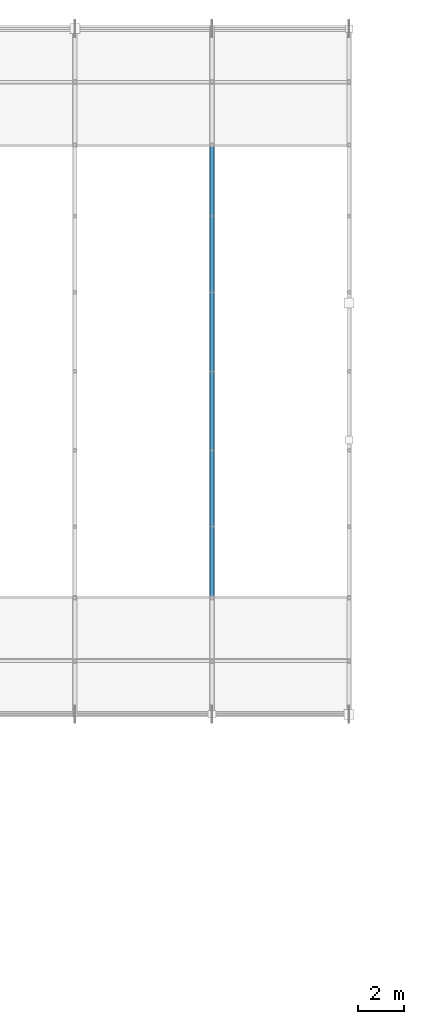
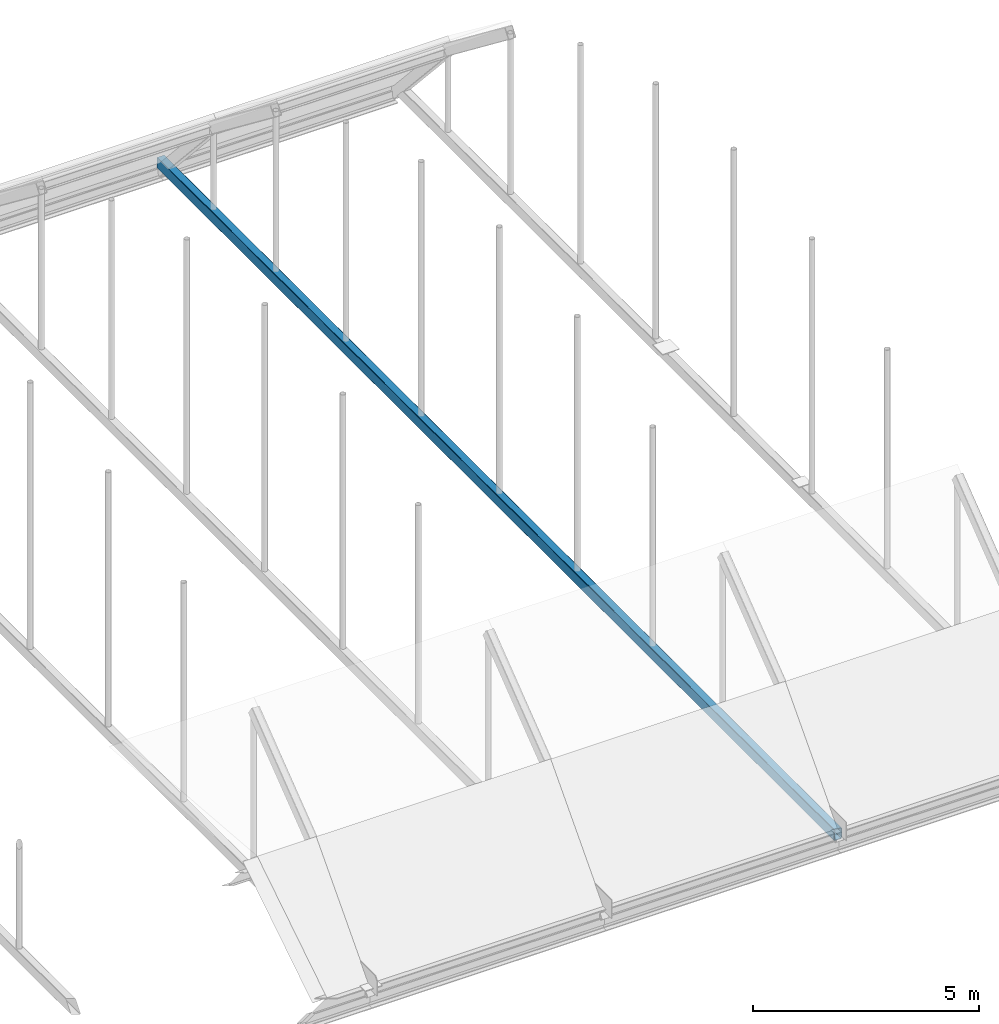
# One storey, part 34 of 63: 1 member.
"""IFC4 building model written with IfcOpenShell, lengths in metres."""

from ifc_helpers import new_model, si_unit, direction, frame, origin, origin_2d, place, context, subcontext, project, spatial, hollow_rectangle, extrude, material, material_profile, profile_set, type_object, element, save


model = new_model("IFC4")

# Units and contexts
model_context = context("Model", 3, precision=1e-05, world=origin(), true_north=direction((0.0, 1.0)))
body_context = subcontext(model_context, "Body", "Model", "MODEL_VIEW")
ifc_project = project(units=[si_unit("LENGTHUNIT", "METRE"), si_unit("AREAUNIT", "SQUARE_METRE"), si_unit("VOLUMEUNIT", "CUBIC_METRE"), si_unit("PLANEANGLEUNIT", "RADIAN"), si_unit("MASSUNIT", "GRAM", prefix="KILO")], contexts=[model_context])

# Site, building, storey
site_placement = place(None, origin())
site = spatial("IfcSite", under=ifc_project, at=site_placement, CompositionType="ELEMENT")
building_placement = place(site_placement, origin())
building = spatial("IfcBuilding", under=site, at=building_placement, Name="Varnakota Square Police Headquarters", CompositionType="ELEMENT")
storey_placement = place(building_placement, frame((0.0, 0.0, 22.199951171875)))
storey = spatial("IfcBuildingStorey", under=building, at=storey_placement, Name="L05", CompositionType="ELEMENT", Elevation=22.199951171875)

# Member
ifc_material = material(Name="Steel IS 2062 Grade 350", Category="steel")
ifc_material_profile = material_profile(ifc_material, hollow_rectangle(XDim=0.199951171875, YDim=0.300048828125, WallThickness=0.011962890625, InnerFilletRadius=0.011962890625, OuterFilletRadius=0.02392578125, at=origin_2d()), Name="RHS 300x200x12")
ifc_profile_set = profile_set([ifc_material_profile], Name="Steel IS 2062 Grade 350")
member_type = type_object("IfcMemberType", Name="MEM-TIE-RHS300", PredefinedType="CHORD", material=ifc_profile_set)
member_placement = place(storey_placement, frame((90.0, 69.0, -0.14990234375), z_axis=(0.0, 1.0, 0.0), x_axis=(-1.0, 0.0, 0.0)))
element("IfcMember", 1, at=member_placement, inside=storey, type_object=member_type, Name="Barrel vault tie rod V2-R06", PredefinedType="CHORD", context=body_context, shape_type="SweptSolid", body=[
    extrude(hollow_rectangle(XDim=0.199951171875, YDim=0.300048828125, WallThickness=0.011962890625, InnerFilletRadius=0.011962890625, OuterFilletRadius=0.02392578125, at=origin_2d()), origin(), (0.0, 0.0, 1.0), 30.0),
])

save(model, "model.ifc")
